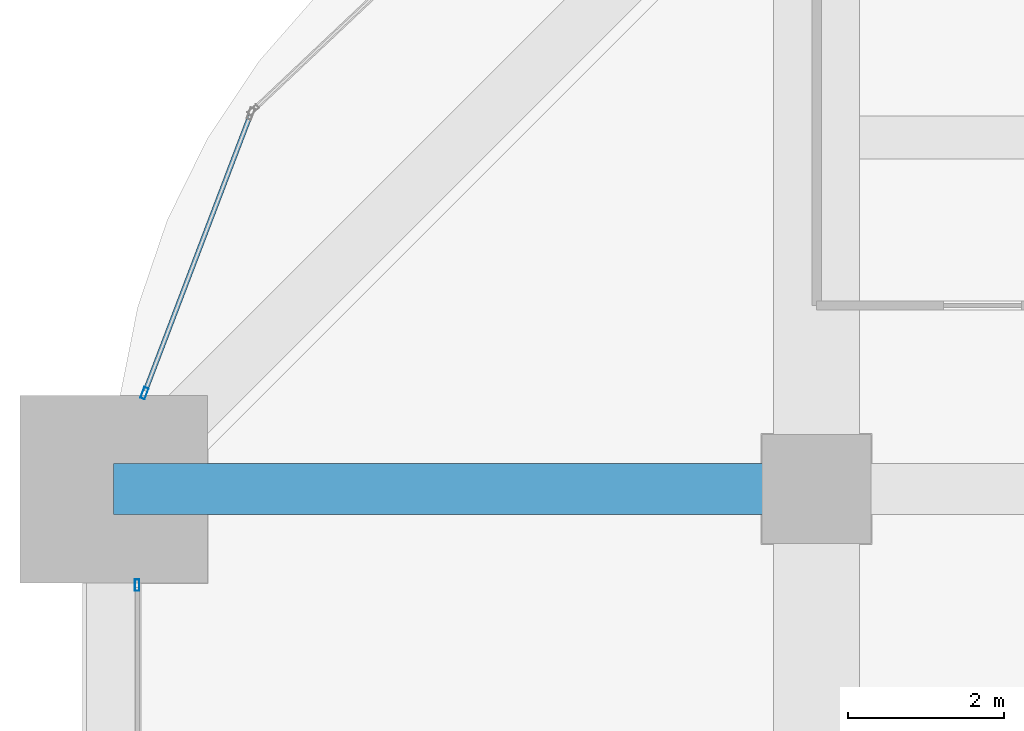
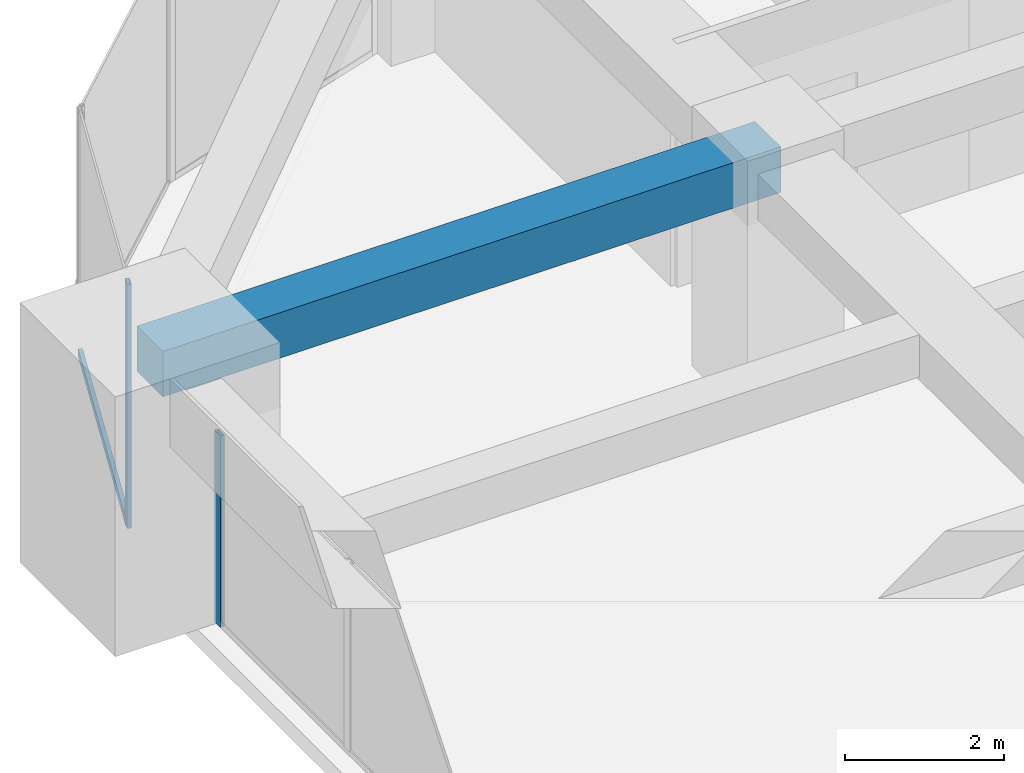
# One storey, part 20 of 32: 3 members, 1 beam, 2 elements without a shape of their own.
"""IFC4 building model written with IfcOpenShell, lengths in metres."""

import ifcopenshell
import ifcopenshell.guid

model = None  # the IFC model being written
_history = None  # IfcOwnerHistory: only IFC2X3 demands one
_inside = {}  # id of a spatial element -> (the spatial element, [elements in it])
_under = {}  # id of a project, library or spatial element -> (it, [spatial elements below it])
_declared = {}  # id of a project -> (the project, [libraries it declares])
_typed = {}  # id of a type object -> (the type object, [elements of that type])
_made_of = {}  # id of a material, layer set ... -> (it, [elements and type objects made of it])


def new_model(schema):
    """Start an empty IFC model of exactly this schema.

    Asked for "IFC4X3", IfcOpenShell would pick the latest addendum, in which some entities
    have other attributes; the version numbers below select the first issue.
    IFC2X3 requires an IfcOwnerHistory on every rooted entity: one is made here for all.
    """
    global model, _history
    if schema == "IFC4X3":
        model = ifcopenshell.file(schema_version=(4, 3, 0, 0))
    else:
        model = ifcopenshell.file(schema=schema)
    _inside.clear()
    _under.clear()
    _declared.clear()
    _typed.clear()
    _made_of.clear()
    _history = None
    if model.schema == "IFC2X3":
        org = make("IfcOrganization", Name="unknown")
        user = make(
            "IfcPersonAndOrganization",
            ThePerson=make("IfcPerson", FamilyName="unknown"),
            TheOrganization=org,
        )
        app = make(
            "IfcApplication",
            ApplicationDeveloper=org,
            Version="unknown",
            ApplicationFullName="unknown",
            ApplicationIdentifier="unknown",
        )
        _history = make(
            "IfcOwnerHistory",
            OwningUser=user,
            OwningApplication=app,
            ChangeAction="ADDED",
            CreationDate=0,
        )
    return model


def make(cls, **values):
    """One entity of the class cls with the attributes given. An attribute that is None is left unset."""
    return model.create_entity(
        cls, **{name: value for name, value in values.items() if value is not None}
    )


def rooted(cls, **values):
    """An entity with a GlobalId (a new one), such as an element, a storey or a relation."""
    return make(cls, GlobalId=ifcopenshell.guid.new(), OwnerHistory=_history, **values)


def si_unit(unit_type, name, prefix=None):
    """IfcSIUnit, for example si_unit("LENGTHUNIT", "METRE", prefix="MILLI")."""
    return make("IfcSIUnit", UnitType=unit_type, Prefix=prefix, Name=name)


def assignment(units):
    """IfcUnitAssignment: the units of a project."""
    return None if units is None else make("IfcUnitAssignment", Units=units)


def point(xyz):
    """IfcCartesianPoint."""
    return None if xyz is None else make("IfcCartesianPoint", Coordinates=xyz)


def direction(xyz):
    """IfcDirection."""
    return None if xyz is None else make("IfcDirection", DirectionRatios=xyz)


def frame(location, z_axis=None, x_axis=None):
    """IfcAxis2Placement3D, a coordinate frame: its origin and axes. An axis left out is left unset."""
    return make(
        "IfcAxis2Placement3D",
        Location=point(location),
        Axis=direction(z_axis),
        RefDirection=direction(x_axis),
    )


def frame_2d(location, x_axis=None):
    """IfcAxis2Placement2D, a coordinate frame in the plane: its origin and x axis."""
    return make(
        "IfcAxis2Placement2D", Location=point(location), RefDirection=direction(x_axis)
    )


def origin():
    """The frame at (0, 0, 0) with its axes left unset."""
    return frame((0.0, 0.0, 0.0))


def origin_2d():
    """The frame at (0, 0) in the plane with its x axis left unset."""
    return frame_2d((0.0, 0.0))


def place(relative_to, where):
    """IfcLocalPlacement: puts the frame where relative to a parent placement (None: the world)."""
    return make(
        "IfcLocalPlacement", PlacementRelTo=relative_to, RelativePlacement=where
    )


def context(
    kind, dimensions, precision=None, world=None, true_north=None, identifier=None
):
    """IfcGeometricRepresentationContext, for example the 3D "Model" context."""
    return make(
        "IfcGeometricRepresentationContext",
        ContextIdentifier=identifier,
        ContextType=kind,
        CoordinateSpaceDimension=dimensions,
        Precision=precision,
        WorldCoordinateSystem=world,
        TrueNorth=true_north,
    )


def subcontext(parent, identifier, kind, view, scale=None):
    """IfcGeometricRepresentationSubContext, for example "Body" below "Model"."""
    return make(
        "IfcGeometricRepresentationSubContext",
        ContextIdentifier=identifier,
        ContextType=kind,
        ParentContext=parent,
        TargetScale=scale,
        TargetView=view,
    )


def project(units=None, contexts=None):
    """IfcProject with its units and contexts."""
    return rooted(
        "IfcProject",
        Name="project",
        RepresentationContexts=contexts,
        UnitsInContext=assignment(units),
    )


def spatial(cls, under=None, at=None, **own):
    """A site, building, storey or space (cls), placed at a placement, below another one or the project."""
    s = rooted(cls, ObjectPlacement=at, **own)
    if under is not None:
        _under.setdefault(under.id(), (under, []))[1].append(s)
    return s


def profile(cls, at=None, kind="AREA", **sizes):
    """A parametric profile (cls). Its sizes go by their IFC names, for example OverallWidth=200.0."""
    return make(cls, ProfileType=kind, Position=at, **sizes)


def rectangle(**sizes):
    """IfcRectangleProfileDef."""
    return profile("IfcRectangleProfileDef", **sizes)


def hollow_rectangle(**sizes):
    """IfcRectangleHollowProfileDef."""
    return profile("IfcRectangleHollowProfileDef", **sizes)


def extrude(swept, where, along, depth):
    """IfcExtrudedAreaSolid: the profile swept, set in the frame where, extruded along a direction by depth."""
    return make(
        "IfcExtrudedAreaSolid",
        SweptArea=swept,
        Position=where,
        ExtrudedDirection=direction(along),
        Depth=depth,
    )


def shape(context_of_items, identifier, shape_type, items):
    """IfcShapeRepresentation: the items that make up one representation, for example the "Body"."""
    return make(
        "IfcShapeRepresentation",
        ContextOfItems=context_of_items,
        RepresentationIdentifier=identifier,
        RepresentationType=shape_type,
        Items=items,
    )


def material(Name=None, Category=None):
    """IfcMaterial."""
    return make("IfcMaterial", Name=Name, Category=Category)


def material_profile(
    of_material, cross_section, Name=None, Category=None, Priority=None
):
    """IfcMaterialProfile: a cross section and its material."""
    return make(
        "IfcMaterialProfile",
        Name=Name,
        Material=of_material,
        Profile=cross_section,
        Priority=Priority,
        Category=Category,
    )


def profile_set(profiles, Name=None, composite=None):
    """IfcMaterialProfileSet."""
    return make(
        "IfcMaterialProfileSet",
        Name=Name,
        MaterialProfiles=profiles,
        CompositeProfile=composite,
    )


def made_of(thing, what):
    """Note that an element or type object is made of a material, layer set ...; save() writes the relation."""
    if what is not None:
        _made_of.setdefault(what.id(), (what, []))[1].append(thing)
    return thing


def type_object(cls, material=None, **own):
    """A type object (cls), such as IfcWallType, which elements share."""
    return made_of(rooted(cls, **own), material)


def element(
    cls,
    number,
    at=None,
    inside=None,
    cuts=None,
    type_object=None,
    material=None,
    context=None,
    identifier="Body",
    shape_type=None,
    held_by="IfcProductDefinitionShape",
    body=None,
    shapes=None,
    **own,
):
    """One element of the class cls, such as IfcWall. Its Tag is "e" and its number.

    at: its placement. inside: the storey or other place that contains it. cuts: it is an
    opening in that element (IfcRelVoidsElement). A single representation is given by context,
    identifier, shape_type and body (its items); several are given by shapes. held_by: the class
    of the entity that holds the representations. save() writes the other relations.
    """
    e = rooted(cls, Tag="e%d" % number, ObjectPlacement=at, **own)
    if body is not None:
        shapes = [shape(context, identifier, shape_type, body)]
    if shapes is not None:
        e.Representation = make(held_by, Representations=shapes)
    if inside is not None:
        _inside.setdefault(inside.id(), (inside, []))[1].append(e)
    if cuts is not None:
        rooted(
            "IfcRelVoidsElement", RelatingBuildingElement=cuts, RelatedOpeningElement=e
        )
    if type_object is not None:
        _typed.setdefault(type_object.id(), (type_object, []))[1].append(e)
    return made_of(e, material)


def aggregate(whole, parts):
    """IfcRelAggregates: a whole, such as a stair, and the parts it consists of."""
    return rooted("IfcRelAggregates", RelatingObject=whole, RelatedObjects=parts)


def save(model, path):
    """Write the relations noted so far, then the file.

    IfcRelAggregates (storeys below a building ...), IfcRelContainedInSpatialStructure (elements
    in a storey), IfcRelDefinesByType, IfcRelAssociatesMaterial and IfcRelDeclares: one each for
    every whole, place, type object, material and project.
    """
    for whole, parts in _under.values():
        aggregate(whole, parts)
    for where, things in _inside.values():
        rooted(
            "IfcRelContainedInSpatialStructure",
            RelatedElements=things,
            RelatingStructure=where,
        )
    for kind, things in _typed.values():
        rooted("IfcRelDefinesByType", RelatedObjects=things, RelatingType=kind)
    for what, things in _made_of.values():
        rooted("IfcRelAssociatesMaterial", RelatedObjects=things, RelatingMaterial=what)
    for by, libraries in _declared.values():
        rooted("IfcRelDeclares", RelatingContext=by, RelatedDefinitions=libraries)
    model.write(path)


model = new_model("IFC4")

# Units and contexts
model_context = context("Model", 3, precision=1e-05, world=origin(), true_north=direction((0.0, 1.0)))
body_context = subcontext(model_context, "Body", "Model", "MODEL_VIEW")
ifc_project = project(units=[si_unit("LENGTHUNIT", "METRE"), si_unit("AREAUNIT", "SQUARE_METRE"), si_unit("VOLUMEUNIT", "CUBIC_METRE"), si_unit("PLANEANGLEUNIT", "RADIAN"), si_unit("MASSUNIT", "GRAM", prefix="KILO")], contexts=[model_context])

# Site, building, storey
site_placement = place(None, origin())
site = spatial("IfcSite", under=ifc_project, at=site_placement, CompositionType="ELEMENT")
building_placement = place(site_placement, origin())
building = spatial("IfcBuilding", under=site, at=building_placement, Name="Zorevar Civic Tower", CompositionType="ELEMENT")
storey_placement = place(building_placement, frame((0.0, 0.0, 202.199951171875)))
storey = spatial("IfcBuildingStorey", under=building, at=storey_placement, Name="L49", CompositionType="ELEMENT", Elevation=202.199951171875)

# Beam
ifc_material_1 = material(Name="Concrete C50/60", Category="concrete")
ifc_material_profile_1 = material_profile(ifc_material_1, rectangle(XDim=0.64990234375, YDim=0.699951171875, at=origin_2d()), Name="RC 650x700")
ifc_profile_set_1 = profile_set([ifc_material_profile_1], Name="Concrete C50/60")
beam_type = type_object("IfcBeamType", Name="Beam RC 650x700", PredefinedType="BEAM", material=ifc_profile_set_1)
beam_placement = place(storey_placement, frame((0.0, 36.0, 3.400146484375), z_axis=(1.0, 0.0, 0.0), x_axis=(0.0, 1.0, 0.0)))
element("IfcBeam", 1, at=beam_placement, inside=storey, type_object=beam_type, Name="Girder L50", PredefinedType="BEAM", context=body_context, shape_type="SweptSolid", body=[
    extrude(rectangle(XDim=0.64990234375, YDim=0.699951171875, at=origin_2d()), origin(), (0.0, 0.0, 1.0), 9.0),
])

# Curtain wall, member
ifc_material_2 = material(Name="Dark grey solar-control glass in black aluminium frame", Category="aluminium")
curtain_wall_type = type_object("IfcCurtainWallType", Name="Curtain wall CW4 high zone", PredefinedType="NOTDEFINED", material=ifc_material_2)
curtain_wall_1_placement = place(storey_placement, origin())
curtain_wall_1 = element("IfcCurtainWall", 2, at=curtain_wall_1_placement, inside=storey, type_object=curtain_wall_type, Name="CW4 L49", PredefinedType="NOTDEFINED")
ifc_material_3 = material(Name="Aluminium, black anodised", Category="aluminium")
ifc_material_profile_2 = material_profile(ifc_material_3, hollow_rectangle(XDim=0.06005859375, YDim=0.14990234375, WallThickness=0.00390625, at=origin_2d()), Name="AL 150x60x4")
ifc_profile_set_2 = profile_set([ifc_material_profile_2], Name="Aluminium, black anodised")
member_type_1 = type_object("IfcMemberType", Name="CW4 mullion AL 150x60x4", PredefinedType="MULLION", material=ifc_profile_set_2)
member_1_placement = place(storey_placement, frame((0.300048828125, 34.77001953125, 0.0), z_axis=(0.0, 0.0, 1.0), x_axis=(-1.0, 0.0, 0.0)))
member_1 = element("IfcMember", 3, at=member_1_placement, type_object=member_type_1, Name="CW4 mullion 3", PredefinedType="MULLION", context=body_context, shape_type="SweptSolid", body=[
    extrude(hollow_rectangle(XDim=0.06005859375, YDim=0.14990234375, WallThickness=0.00390625, at=origin_2d()), origin(), (0.0, 0.0, 1.0), 2.949951171875),
])
aggregate(curtain_wall_1, [member_1])

# Curtain wall, members
curtain_wall_2_placement = place(storey_placement, origin())
curtain_wall_2 = element("IfcCurtainWall", 4, at=curtain_wall_2_placement, inside=storey, type_object=curtain_wall_type, Name="CW4 L49", PredefinedType="NOTDEFINED")
member_2_placement = place(storey_placement, frame((0.393798828125, 37.22802734375, 0.0), z_axis=(0.0, 0.0, 1.0), x_axis=(0.93458842801, -0.355730895803, 0.0)))
member_2 = element("IfcMember", 5, at=member_2_placement, type_object=member_type_1, Name="CW4 mullion 2", PredefinedType="MULLION", context=body_context, shape_type="SweptSolid", body=[
    extrude(hollow_rectangle(XDim=0.06005859375, YDim=0.14990234375, WallThickness=0.00390625, at=origin_2d()), origin(), (0.0, 0.0, 1.0), 3.75),
])
ifc_material_4 = material(Name="Aluminium, black anodised", Category="aluminium")
ifc_material_profile_3 = material_profile(ifc_material_4, hollow_rectangle(XDim=0.06005859375, YDim=0.1201171875, WallThickness=0.0029296875, at=origin_2d()), Name="AL 120x60x3")
ifc_profile_set_3 = profile_set([ifc_material_profile_3], Name="Aluminium, black anodised")
member_type_2 = type_object("IfcMemberType", Name="CW4 transom AL 120x60x3", PredefinedType="USERDEFINED", material=ifc_profile_set_3)
member_3_placement = place(storey_placement, frame((1.74462890625, 40.77685546875, 0.030029296875), z_axis=(-0.355728511406, -0.934589335576, 0.0), x_axis=(0.934589335576, -0.355728511406, 0.0)))
member_3 = element("IfcMember", 6, at=member_3_placement, type_object=member_type_2, Name="CW4 sill transom", ObjectType="TRANSOM", PredefinedType="USERDEFINED", context=body_context, shape_type="SweptSolid", body=[
    extrude(hollow_rectangle(XDim=0.06005859375, YDim=0.1201171875, WallThickness=0.0029296875, at=origin_2d()), origin(), (0.0, 0.0, 1.0), 3.76708984375),
])
aggregate(curtain_wall_2, [member_2, member_3])

save(model, "model.ifc")
